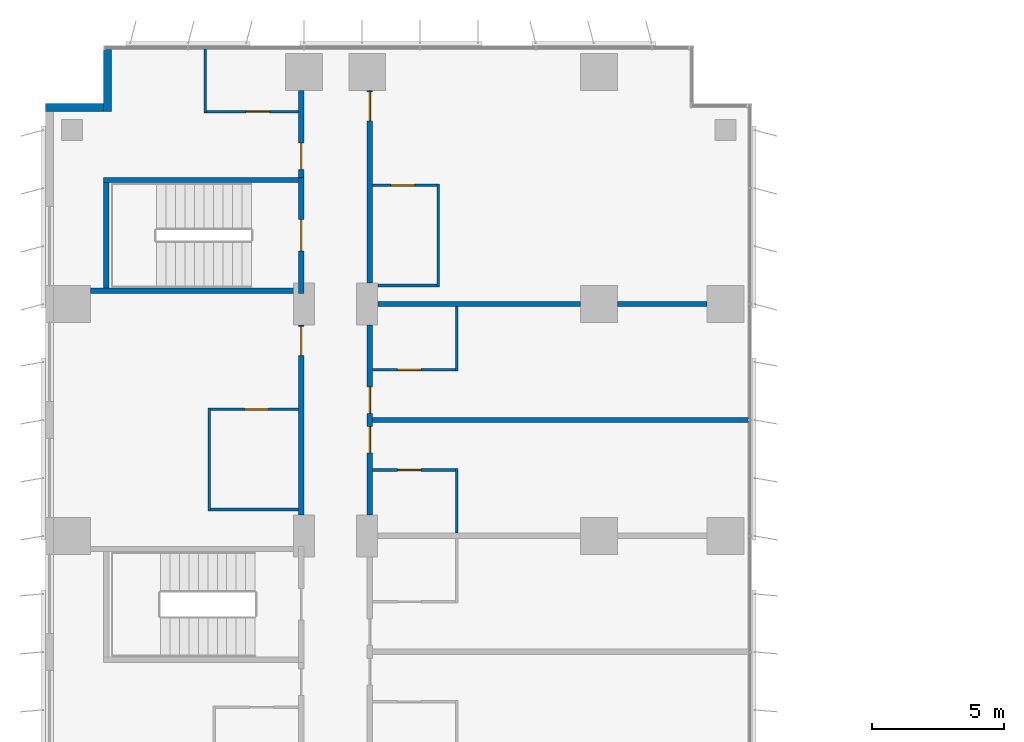
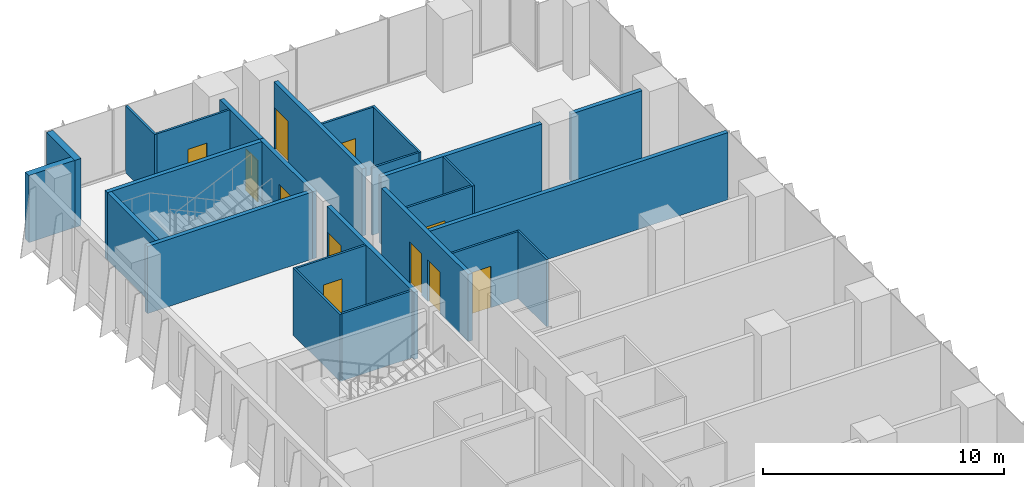
# One storey, part 19 of 24: 25 walls, 11 doors, 11 openings.
"""IFC4 building model written with IfcOpenShell, lengths in metres."""

from ifc_helpers import new_model, si_unit, direction, frame, frame_2d, origin, place, context, subcontext, project, spatial, rectangle, extrude, material, layer, layer_set, type_object, element, fill, save


model = new_model("IFC4")

# Units and contexts
model_context = context("Model", 3, precision=1e-05, world=origin(), true_north=direction((0.0, 1.0)))
body_context = subcontext(model_context, "Body", "Model", "MODEL_VIEW")
ifc_project = project(units=[si_unit("LENGTHUNIT", "METRE"), si_unit("AREAUNIT", "SQUARE_METRE"), si_unit("VOLUMEUNIT", "CUBIC_METRE"), si_unit("PLANEANGLEUNIT", "RADIAN"), si_unit("MASSUNIT", "GRAM", prefix="KILO")], contexts=[model_context])

# Site, building, storey
site_placement = place(None, origin())
site = spatial("IfcSite", under=ifc_project, at=site_placement, CompositionType="ELEMENT")
building_placement = place(site_placement, origin())
building = spatial("IfcBuilding", under=site, at=building_placement, Name="Kemantara Hotel Tower", CompositionType="ELEMENT")
storey_placement = place(building_placement, frame((0.0, 0.0, 56.199951171875)))
storey = spatial("IfcBuildingStorey", under=building, at=storey_placement, Name="L12", CompositionType="ELEMENT", Elevation=56.199951171875)

# Walls
ifc_material_1 = material(Name="Bronze anodised aluminium cladding on insulated steel stud wall", Category="steel")
ifc_layer_1 = layer(ifc_material_1, 0.300048828125)
ifc_layer_set_1 = layer_set([ifc_layer_1], Name="Bronze anodised aluminium cladding on insulated steel stud wall")
wall_type_1 = type_object("IfcWallType", Name="BRONZE METAL-CLAD EXTERNAL WALL 300", PredefinedType="STANDARD", material=ifc_layer_set_1)
wall_1_placement = place(storey_placement, frame((2.35009765625, 81.050048828125, 0.0), z_axis=(0.0, 0.0, 1.0), x_axis=(0.0, -1.0, 0.0)))
element("IfcWall", 1, at=wall_1_placement, inside=storey, type_object=wall_type_1, Name="EXTERNAL WALL L12 T1-R12", PredefinedType="STANDARD", context=body_context, shape_type="SweptSolid", body=[
    extrude(rectangle(XDim=2.35009765625, YDim=0.300048828125, at=frame_2d((1.175048828125, 0.0))), origin(), (0.0, 0.0, 1.0), 3.400146484375),
])
wall_2_placement = place(storey_placement, frame((2.199951171875, 78.85009765625, 0.0), z_axis=(0.0, 0.0, 1.0), x_axis=(-1.0, 0.0, 0.0)))
element("IfcWall", 2, at=wall_2_placement, inside=storey, type_object=wall_type_1, Name="EXTERNAL WALL L12 T1-R13", PredefinedType="STANDARD", context=body_context, shape_type="SweptSolid", body=[
    extrude(rectangle(XDim=2.199951171875, YDim=0.300048828125, at=frame_2d((1.10009765625, 0.0))), origin(), (0.0, 0.0, 1.0), 3.400146484375),
])

# Wall, opening, door
ifc_material_2 = material(Name="Gypsum board partition, steel studs and mineral wool, 200 mm", Category="steel")
ifc_layer_2 = layer(ifc_material_2, 0.199951171875)
ifc_layer_set_2 = layer_set([ifc_layer_2], Name="Gypsum board partition, steel studs and mineral wool, 200 mm")
wall_type_2 = type_object("IfcWallType", Name="CORRIDOR WALL 200", PredefinedType="PARTITIONING", material=ifc_layer_set_2)
wall_3_placement = place(storey_placement, frame((9.699951171875, 63.400146484375, 0.0), z_axis=(0.0, 0.0, 1.0), x_axis=(0.0, 1.0, 0.0)))
wall_3 = element("IfcWall", 3, at=wall_3_placement, inside=storey, type_object=wall_type_2, Name="CORRIDOR WALL 200 032", PredefinedType="PARTITIONING", context=body_context, shape_type="SweptSolid", body=[
    extrude(rectangle(XDim=7.19970703125, YDim=0.199951171875, at=frame_2d((3.599853515625, 0.0))), origin(), (0.0, 0.0, 1.0), 3.400146484375),
])
opening_1_placement = place(wall_3_placement, frame((6.0498046875, 0.0, 0.0)))
opening_1 = element("IfcOpeningElement", 4, at=opening_1_placement, cuts=wall_3, Name="Opening F04-045", PredefinedType="OPENING", context=body_context, shape_type="SweptSolid", body=[
    extrude(rectangle(XDim=1.10009765625, YDim=2.10009765625, at=frame_2d((0.550048828125, 1.050048828125))), frame((0.0, 0.10986328125, 0.0), z_axis=(0.0, -1.0, 0.0), x_axis=(1.0, 0.0, 0.0)), (0.0, 0.0, 1.0), 0.219970703125),
])
ifc_material_3 = material(Name="Hardwood veneer door leaf with steel frame", Category="steel")
door_type_1 = type_object("IfcDoorType", Name="SUITE ENTRANCE DOOR 1100 X 2100 FD30S", OperationType="NOTDEFINED", PredefinedType="DOOR", material=ifc_material_3)
door_1_placement = place(opening_1_placement, origin())
door_1 = element("IfcDoor", 5, at=door_1_placement, inside=storey, type_object=door_type_1, Name="SUITE ENTRANCE DOOR F04-045", OperationType="SINGLE_SWING_RIGHT", OverallHeight=2.10009765625, OverallWidth=1.10009765625, PredefinedType="DOOR", context=body_context, shape_type="SweptSolid", body=[
    extrude(rectangle(XDim=1.10009765625, YDim=2.10009765625, at=frame_2d((0.550048828125, 1.050048828125))), frame((0.0, 0.02490234375, 0.0), z_axis=(0.0, -1.0, 0.0), x_axis=(1.0, 0.0, 0.0)), (0.0, 0.0, 1.0), 0.050048828125),
])
fill(opening_1, door_1)

wall_4_placement = place(storey_placement, frame((9.699951171875, 76.199951171875, 0.0), z_axis=(0.0, 0.0, 1.0), x_axis=(0.0, 1.0, 0.0)))
wall_4 = element("IfcWall", 6, at=wall_4_placement, inside=storey, type_object=wall_type_2, Name="CORRIDOR WALL 200 033", PredefinedType="PARTITIONING", context=body_context, shape_type="SweptSolid", body=[
    extrude(rectangle(XDim=3.300048828125, YDim=0.199951171875, at=frame_2d((1.64990234375, 0.0))), origin(), (0.0, 0.0, 1.0), 3.400146484375),
])
opening_2_placement = place(wall_4_placement, frame((0.300048828125, 0.0, 0.0)))
opening_2 = element("IfcOpeningElement", 7, at=opening_2_placement, cuts=wall_4, Name="Opening F04-047", PredefinedType="OPENING", context=body_context, shape_type="SweptSolid", body=[
    extrude(rectangle(XDim=1.0, YDim=2.10009765625, at=frame_2d((0.5, 1.050048828125))), frame((0.0, 0.10986328125, 0.0), z_axis=(0.0, -1.0, 0.0), x_axis=(1.0, 0.0, 0.0)), (0.0, 0.0, 1.0), 0.219970703125),
])
door_type_2 = type_object("IfcDoorType", Name="GUEST ROOM DOOR 1000 X 2100 FD30S", OperationType="NOTDEFINED", PredefinedType="DOOR", material=ifc_material_3)
door_2_placement = place(opening_2_placement, origin())
door_2 = element("IfcDoor", 8, at=door_2_placement, inside=storey, type_object=door_type_2, Name="GUEST ROOM DOOR F04-047", OperationType="SINGLE_SWING_LEFT", OverallHeight=2.10009765625, OverallWidth=1.0, PredefinedType="DOOR", context=body_context, shape_type="SweptSolid", body=[
    extrude(rectangle(XDim=1.0, YDim=2.10009765625, at=frame_2d((0.5, 1.050048828125))), frame((0.0, 0.02490234375, 0.0), z_axis=(0.0, -1.0, 0.0), x_axis=(1.0, 0.0, 0.0)), (0.0, 0.0, 1.0), 0.050048828125),
])
fill(opening_2, door_2)

# Wall, openings, doors
wall_5_placement = place(storey_placement, frame((12.300048828125, 70.599853515625, 0.0), z_axis=(0.0, 0.0, 1.0), x_axis=(0.0, -1.0, 0.0)))
wall_5 = element("IfcWall", 9, at=wall_5_placement, inside=storey, type_object=wall_type_2, Name="CORRIDOR WALL 200 052", PredefinedType="PARTITIONING", context=body_context, shape_type="SweptSolid", body=[
    extrude(rectangle(XDim=7.19970703125, YDim=0.199951171875, at=frame_2d((3.599853515625, 0.0))), origin(), (0.0, 0.0, 1.0), 3.400146484375),
])
opening_3_placement = place(wall_5_placement, frame((3.849853515625, 0.0, 0.0)))
opening_3 = element("IfcOpeningElement", 10, at=opening_3_placement, cuts=wall_5, Name="Opening F04-065", PredefinedType="OPENING", context=body_context, shape_type="SweptSolid", body=[
    extrude(rectangle(XDim=1.0, YDim=2.10009765625, at=frame_2d((0.5, 1.050048828125))), frame((0.0, 0.10986328125, 0.0), z_axis=(0.0, -1.0, 0.0), x_axis=(1.0, 0.0, 0.0)), (0.0, 0.0, 1.0), 0.219970703125),
])
opening_4_placement = place(wall_5_placement, frame((2.349853515625, 0.0, 0.0)))
opening_4 = element("IfcOpeningElement", 11, at=opening_4_placement, cuts=wall_5, Name="Opening F04-067", PredefinedType="OPENING", context=body_context, shape_type="SweptSolid", body=[
    extrude(rectangle(XDim=1.0, YDim=2.10009765625, at=frame_2d((0.5, 1.050048828125))), frame((0.0, 0.10986328125, 0.0), z_axis=(0.0, -1.0, 0.0), x_axis=(1.0, 0.0, 0.0)), (0.0, 0.0, 1.0), 0.219970703125),
])
door_3_placement = place(opening_3_placement, origin())
door_3 = element("IfcDoor", 12, at=door_3_placement, inside=storey, type_object=door_type_2, Name="GUEST ROOM DOOR F04-065", OperationType="SINGLE_SWING_LEFT", OverallHeight=2.10009765625, OverallWidth=1.0, PredefinedType="DOOR", context=body_context, shape_type="SweptSolid", body=[
    extrude(rectangle(XDim=1.0, YDim=2.10009765625, at=frame_2d((0.5, 1.050048828125))), frame((0.0, 0.02490234375, 0.0), z_axis=(0.0, -1.0, 0.0), x_axis=(1.0, 0.0, 0.0)), (0.0, 0.0, 1.0), 0.050048828125),
])
fill(opening_3, door_3)
door_4_placement = place(opening_4_placement, origin())
door_4 = element("IfcDoor", 13, at=door_4_placement, inside=storey, type_object=door_type_2, Name="GUEST ROOM DOOR F04-067", OperationType="SINGLE_SWING_RIGHT", OverallHeight=2.10009765625, OverallWidth=1.0, PredefinedType="DOOR", context=body_context, shape_type="SweptSolid", body=[
    extrude(rectangle(XDim=1.0, YDim=2.10009765625, at=frame_2d((0.5, 1.050048828125))), frame((0.0, 0.02490234375, 0.0), z_axis=(0.0, -1.0, 0.0), x_axis=(1.0, 0.0, 0.0)), (0.0, 0.0, 1.0), 0.050048828125),
])
fill(opening_4, door_4)

# Wall, opening, door
wall_6_placement = place(storey_placement, frame((12.300048828125, 79.5, 0.0), z_axis=(0.0, 0.0, 1.0), x_axis=(0.0, -1.0, 0.0)))
wall_6 = element("IfcWall", 14, at=wall_6_placement, inside=storey, type_object=wall_type_2, Name="CORRIDOR WALL 200 053", PredefinedType="PARTITIONING", context=body_context, shape_type="SweptSolid", body=[
    extrude(rectangle(XDim=7.2998046875, YDim=0.199951171875, at=frame_2d((3.64990234375, 0.0))), origin(), (0.0, 0.0, 1.0), 3.400146484375),
])
opening_5_placement = place(wall_6_placement, frame((0.0498046875, 0.0, 0.0)))
opening_5 = element("IfcOpeningElement", 15, at=opening_5_placement, cuts=wall_6, Name="Opening F04-069", PredefinedType="OPENING", context=body_context, shape_type="SweptSolid", body=[
    extrude(rectangle(XDim=1.10009765625, YDim=2.10009765625, at=frame_2d((0.550048828125, 1.050048828125))), frame((0.0, 0.10986328125, 0.0), z_axis=(0.0, -1.0, 0.0), x_axis=(1.0, 0.0, 0.0)), (0.0, 0.0, 1.0), 0.219970703125),
])
door_5_placement = place(opening_5_placement, origin())
door_5 = element("IfcDoor", 16, at=door_5_placement, inside=storey, type_object=door_type_1, Name="SUITE ENTRANCE DOOR F04-069", OperationType="SINGLE_SWING_LEFT", OverallHeight=2.10009765625, OverallWidth=1.10009765625, PredefinedType="DOOR", context=body_context, shape_type="SweptSolid", body=[
    extrude(rectangle(XDim=1.10009765625, YDim=2.10009765625, at=frame_2d((0.550048828125, 1.050048828125))), frame((0.0, 0.02490234375, 0.0), z_axis=(0.0, -1.0, 0.0), x_axis=(1.0, 0.0, 0.0)), (0.0, 0.0, 1.0), 0.050048828125),
])
fill(opening_5, door_5)

ifc_material_4 = material(Name="Concrete fc 40 MPa", Category="concrete")
ifc_layer_3 = layer(ifc_material_4, 0.199951171875)
ifc_layer_set_3 = layer_set([ifc_layer_3], Name="Concrete fc 40 MPa")
wall_type_3 = type_object("IfcWallType", Name="Concrete stair wall 200 mm", PredefinedType="SHEAR", material=ifc_layer_set_3)
wall_7_placement = place(storey_placement, frame((9.699951171875, 71.800048828125, 0.0), z_axis=(0.0, 0.0, 1.0), x_axis=(0.0, 1.0, 0.0)))
wall_7 = element("IfcWall", 17, at=wall_7_placement, inside=storey, type_object=wall_type_3, Name="Stair ST6 enclosure wall with door", PredefinedType="SHEAR", context=body_context, shape_type="SweptSolid", body=[
    extrude(rectangle(XDim=4.39990234375, YDim=0.199951171875, at=frame_2d((2.199951171875, 0.0))), origin(), (0.0, 0.0, 1.0), 3.400146484375),
])
opening_6_placement = place(wall_7_placement, frame((1.60009765625, 0.0, 0.0)))
opening_6 = element("IfcOpeningElement", 18, at=opening_6_placement, cuts=wall_7, Name="Opening ST6-C", PredefinedType="OPENING", context=body_context, shape_type="SweptSolid", body=[
    extrude(rectangle(XDim=1.199951171875, YDim=2.10009765625, at=frame_2d((0.60009765625, 1.050048828125))), frame((0.0, 0.10986328125, 0.0), z_axis=(0.0, -1.0, 0.0), x_axis=(1.0, 0.0, 0.0)), (0.0, 0.0, 1.0), 0.219970703125),
])
ifc_material_5 = material(Name="Steel fire door", Category="steel")
door_type_3 = type_object("IfcDoorType", Name="Fire door FD90 1200 x 2100", OperationType="NOTDEFINED", PredefinedType="DOOR", material=ifc_material_5)
door_6_placement = place(opening_6_placement, origin())
door_6 = element("IfcDoor", 19, at=door_6_placement, inside=storey, type_object=door_type_3, Name="Stair ST6 door", OperationType="SINGLE_SWING_RIGHT", OverallHeight=2.10009765625, OverallWidth=1.199951171875, PredefinedType="DOOR", context=body_context, shape_type="SweptSolid", body=[
    extrude(rectangle(XDim=1.199951171875, YDim=2.10009765625, at=frame_2d((0.60009765625, 1.050048828125))), frame((0.0, 0.02490234375, 0.0), z_axis=(0.0, -1.0, 0.0), x_axis=(1.0, 0.0, 0.0)), (0.0, 0.0, 1.0), 0.050048828125),
])
fill(opening_6, door_6)

# Walls
wall_8_placement = place(storey_placement, frame((2.199951171875, 76.10009765625, 0.0), z_axis=(0.0, 0.0, 1.0), x_axis=(1.0, 0.0, 0.0)))
element("IfcWall", 20, at=wall_8_placement, inside=storey, type_object=wall_type_3, Name="Stair ST6 enclosure wall N", PredefinedType="SHEAR", context=body_context, shape_type="SweptSolid", body=[
    extrude(rectangle(XDim=7.400146484375, YDim=0.199951171875, at=frame_2d((3.7001953125, 0.0))), origin(), (0.0, 0.0, 1.0), 3.400146484375),
])
wall_9_placement = place(storey_placement, frame((1.699951171875, 71.89990234375, 0.0), z_axis=(0.0, 0.0, 1.0), x_axis=(1.0, 0.0, 0.0)))
element("IfcWall", 21, at=wall_9_placement, inside=storey, type_object=wall_type_3, Name="Stair ST6 enclosure wall S", PredefinedType="SHEAR", context=body_context, shape_type="SweptSolid", body=[
    extrude(rectangle(XDim=7.900146484375, YDim=0.199951171875, at=frame_2d((3.9501953125, 0.0))), origin(), (0.0, 0.0, 1.0), 3.400146484375),
])
wall_10_placement = place(storey_placement, frame((2.300048828125, 72.0, 0.0), z_axis=(0.0, 0.0, 1.0), x_axis=(0.0, 1.0, 0.0)))
element("IfcWall", 22, at=wall_10_placement, inside=storey, type_object=wall_type_3, Name="Stair ST6 enclosure wall W", PredefinedType="SHEAR", context=body_context, shape_type="SweptSolid", body=[
    extrude(rectangle(XDim=4.0, YDim=0.199951171875, at=frame_2d((2.0, 0.0))), origin(), (0.0, 0.0, 1.0), 3.400146484375),
])
ifc_layer_4 = layer(ifc_material_2, 0.199951171875)
ifc_layer_set_4 = layer_set([ifc_layer_4], Name="Gypsum board partition, steel studs and mineral wool, 200 mm")
wall_type_4 = type_object("IfcWallType", Name="GUEST ROOM PARTY WALL 200", PredefinedType="PARTITIONING", material=ifc_layer_set_4)
wall_11_placement = place(storey_placement, frame((12.39990234375, 67.0, 0.0), z_axis=(0.0, 0.0, 1.0), x_axis=(1.0, 0.0, 0.0)))
element("IfcWall", 23, at=wall_11_placement, inside=storey, type_object=wall_type_4, Name="GUEST ROOM PARTY WALL 200 062", PredefinedType="PARTITIONING", context=body_context, shape_type="SweptSolid", body=[
    extrude(rectangle(XDim=14.27001953125, YDim=0.199951171875, at=frame_2d((7.135009765625, 0.0))), origin(), (0.0, 0.0, 1.0), 3.400146484375),
])
wall_12_placement = place(storey_placement, frame((12.60009765625, 71.39990234375, 0.0), z_axis=(0.0, 0.0, 1.0), x_axis=(1.0, 0.0, 0.0)))
element("IfcWall", 24, at=wall_12_placement, inside=storey, type_object=wall_type_4, Name="GUEST ROOM PARTY WALL 200 063", PredefinedType="PARTITIONING", context=body_context, shape_type="SweptSolid", body=[
    extrude(rectangle(XDim=7.69970703125, YDim=0.199951171875, at=frame_2d((3.849853515625, 0.0))), origin(), (0.0, 0.0, 1.0), 3.400146484375),
])
wall_13_placement = place(storey_placement, frame((21.7001953125, 71.39990234375, 0.0), z_axis=(0.0, 0.0, 1.0), x_axis=(1.0, 0.0, 0.0)))
element("IfcWall", 25, at=wall_13_placement, inside=storey, type_object=wall_type_4, Name="GUEST ROOM PARTY WALL 200 064", PredefinedType="PARTITIONING", context=body_context, shape_type="SweptSolid", body=[
    extrude(rectangle(XDim=3.399658203125, YDim=0.199951171875, at=frame_2d((1.69970703125, 0.0))), origin(), (0.0, 0.0, 1.0), 3.400146484375),
])
ifc_material_6 = material(Name="Gypsum board partition on steel studs, 100 mm", Category="steel")
ifc_layer_5 = layer(ifc_material_6, 0.10009765625)
ifc_layer_set_5 = layer_set([ifc_layer_5], Name="Gypsum board partition on steel studs, 100 mm")
wall_type_5 = type_object("IfcWallType", Name="ROOM PARTITION 100", PredefinedType="PARTITIONING", material=ifc_layer_set_5)
wall_14_placement = place(storey_placement, frame((6.050048828125, 78.64990234375, 0.0), z_axis=(0.0, 0.0, 1.0), x_axis=(0.0, 1.0, 0.0)))
element("IfcWall", 26, at=wall_14_placement, inside=storey, type_object=wall_type_5, Name="ROOM PARTITION 100 095", PredefinedType="PARTITIONING", context=body_context, shape_type="SweptSolid", body=[
    extrude(rectangle(XDim=2.420166015625, YDim=0.10009765625, at=frame_2d((1.2099609375, 0.0))), origin(), (0.0, 0.0, 1.0), 3.400146484375),
])
wall_15_placement = place(storey_placement, frame((6.199951171875, 63.550048828125, 0.0), z_axis=(0.0, 0.0, 1.0), x_axis=(0.0, 1.0, 0.0)))
element("IfcWall", 27, at=wall_15_placement, inside=storey, type_object=wall_type_5, Name="ROOM PARTITION 100 104", PredefinedType="PARTITIONING", context=body_context, shape_type="SweptSolid", body=[
    extrude(rectangle(XDim=3.89990234375, YDim=0.10009765625, at=frame_2d((1.949951171875, 0.0))), origin(), (0.0, 0.0, 1.0), 3.400146484375),
])
wall_16_placement = place(storey_placement, frame((6.25, 63.60009765625, 0.0), z_axis=(0.0, 0.0, 1.0), x_axis=(1.0, 0.0, 0.0)))
element("IfcWall", 28, at=wall_16_placement, inside=storey, type_object=wall_type_5, Name="ROOM PARTITION 100 115", PredefinedType="PARTITIONING", context=body_context, shape_type="SweptSolid", body=[
    extrude(rectangle(XDim=3.35009765625, YDim=0.10009765625, at=frame_2d((1.675048828125, 0.0))), origin(), (0.0, 0.0, 1.0), 3.400146484375),
])

# Wall, opening, door
wall_17_placement = place(storey_placement, frame((9.60009765625, 67.39990234375, 0.0), z_axis=(0.0, 0.0, 1.0), x_axis=(-1.0, 0.0, 0.0)))
wall_17 = element("IfcWall", 29, at=wall_17_placement, inside=storey, type_object=wall_type_5, Name="ROOM PARTITION 100 116", PredefinedType="PARTITIONING", context=body_context, shape_type="SweptSolid", body=[
    extrude(rectangle(XDim=3.35009765625, YDim=0.10009765625, at=frame_2d((1.675048828125, 0.0))), origin(), (0.0, 0.0, 1.0), 3.400146484375),
])
opening_7_placement = place(wall_17_placement, frame((1.14990234375, 0.0, 0.0)))
opening_7 = element("IfcOpeningElement", 30, at=opening_7_placement, cuts=wall_17, Name="Opening F04-046", PredefinedType="OPENING", context=body_context, shape_type="SweptSolid", body=[
    extrude(rectangle(XDim=0.89990234375, YDim=2.10009765625, at=frame_2d((0.449951171875, 1.050048828125))), frame((0.0, 0.06005859375, 0.0), z_axis=(0.0, -1.0, 0.0), x_axis=(1.0, 0.0, 0.0)), (0.0, 0.0, 1.0), 0.1201171875),
])
door_type_4 = type_object("IfcDoorType", Name="BATHROOM DOOR 900 X 2100", OperationType="NOTDEFINED", PredefinedType="DOOR", material=ifc_material_3)
door_7_placement = place(opening_7_placement, origin())
door_7 = element("IfcDoor", 31, at=door_7_placement, inside=storey, type_object=door_type_4, Name="BATHROOM DOOR F04-046", OperationType="SINGLE_SWING_LEFT", OverallHeight=2.10009765625, OverallWidth=0.89990234375, PredefinedType="DOOR", context=body_context, shape_type="SweptSolid", body=[
    extrude(rectangle(XDim=0.89990234375, YDim=2.10009765625, at=frame_2d((0.449951171875, 1.050048828125))), frame((0.0, 0.02490234375, 0.0), z_axis=(0.0, -1.0, 0.0), x_axis=(1.0, 0.0, 0.0)), (0.0, 0.0, 1.0), 0.050048828125),
])
fill(opening_7, door_7)

wall_18_placement = place(storey_placement, frame((6.10009765625, 78.699951171875, 0.0), z_axis=(0.0, 0.0, 1.0), x_axis=(1.0, 0.0, 0.0)))
wall_18 = element("IfcWall", 32, at=wall_18_placement, inside=storey, type_object=wall_type_5, Name="ROOM PARTITION 100 117", PredefinedType="PARTITIONING", context=body_context, shape_type="SweptSolid", body=[
    extrude(rectangle(XDim=3.5, YDim=0.10009765625, at=frame_2d((1.75, 0.0))), origin(), (0.0, 0.0, 1.0), 3.400146484375),
])
opening_8_placement = place(wall_18_placement, frame((1.5, 0.0, 0.0)))
opening_8 = element("IfcOpeningElement", 33, at=opening_8_placement, cuts=wall_18, Name="Opening F04-048", PredefinedType="OPENING", context=body_context, shape_type="SweptSolid", body=[
    extrude(rectangle(XDim=0.89990234375, YDim=2.10009765625, at=frame_2d((0.449951171875, 1.050048828125))), frame((0.0, 0.06005859375, 0.0), z_axis=(0.0, -1.0, 0.0), x_axis=(1.0, 0.0, 0.0)), (0.0, 0.0, 1.0), 0.1201171875),
])
door_8_placement = place(opening_8_placement, origin())
door_8 = element("IfcDoor", 34, at=door_8_placement, inside=storey, type_object=door_type_4, Name="BATHROOM DOOR F04-048", OperationType="SINGLE_SWING_RIGHT", OverallHeight=2.10009765625, OverallWidth=0.89990234375, PredefinedType="DOOR", context=body_context, shape_type="SweptSolid", body=[
    extrude(rectangle(XDim=0.89990234375, YDim=2.10009765625, at=frame_2d((0.449951171875, 1.050048828125))), frame((0.0, 0.02490234375, 0.0), z_axis=(0.0, -1.0, 0.0), x_axis=(1.0, 0.0, 0.0)), (0.0, 0.0, 1.0), 0.050048828125),
])
fill(opening_8, door_8)

# Walls
for number, where, z_axis, x_axis, name in (
    (35, (15.60009765625, 62.699951171875, 0.0), (0.0, 0.0, 1.0), (0.0, 1.0, 0.0), "ROOM PARTITION 100 126"),
    (36, (15.60009765625, 68.85009765625, 0.0), (0.0, 0.0, 1.0), (0.0, 1.0, 0.0), "ROOM PARTITION 100 127"),
):
    element("IfcWall", number, at=place(storey_placement, frame(where, z_axis=z_axis, x_axis=x_axis)), inside=storey, type_object=wall_type_5, Name=name, PredefinedType="PARTITIONING", context=body_context, shape_type="SweptSolid", body=[
        extrude(rectangle(XDim=2.449951171875, YDim=0.10009765625, at=frame_2d((1.22509765625, 0.0))), origin(), (0.0, 0.0, 1.0), 3.400146484375),
    ])

# Wall, opening, door
wall_19_placement = place(storey_placement, frame((15.550048828125, 65.10009765625, 0.0), z_axis=(0.0, 0.0, 1.0), x_axis=(-1.0, 0.0, 0.0)))
wall_19 = element("IfcWall", 37, at=wall_19_placement, inside=storey, type_object=wall_type_5, Name="ROOM PARTITION 100 135", PredefinedType="PARTITIONING", context=body_context, shape_type="SweptSolid", body=[
    extrude(rectangle(XDim=3.150146484375, YDim=0.10009765625, at=frame_2d((1.5751953125, 0.0))), origin(), (0.0, 0.0, 1.0), 3.400146484375),
])
opening_9_placement = place(wall_19_placement, frame((1.300048828125, 0.0, 0.0)))
opening_9 = element("IfcOpeningElement", 38, at=opening_9_placement, cuts=wall_19, Name="Opening F04-066", PredefinedType="OPENING", context=body_context, shape_type="SweptSolid", body=[
    extrude(rectangle(XDim=0.89990234375, YDim=2.10009765625, at=frame_2d((0.449951171875, 1.050048828125))), frame((0.0, 0.06005859375, 0.0), z_axis=(0.0, -1.0, 0.0), x_axis=(1.0, 0.0, 0.0)), (0.0, 0.0, 1.0), 0.1201171875),
])
door_9_placement = place(opening_9_placement, origin())
door_9 = element("IfcDoor", 39, at=door_9_placement, inside=storey, type_object=door_type_4, Name="BATHROOM DOOR F04-066", OperationType="SINGLE_SWING_RIGHT", OverallHeight=2.10009765625, OverallWidth=0.89990234375, PredefinedType="DOOR", context=body_context, shape_type="SweptSolid", body=[
    extrude(rectangle(XDim=0.89990234375, YDim=2.10009765625, at=frame_2d((0.449951171875, 1.050048828125))), frame((0.0, 0.02490234375, 0.0), z_axis=(0.0, -1.0, 0.0), x_axis=(1.0, 0.0, 0.0)), (0.0, 0.0, 1.0), 0.050048828125),
])
fill(opening_9, door_9)

wall_20_placement = place(storey_placement, frame((12.39990234375, 68.89990234375, 0.0), z_axis=(0.0, 0.0, 1.0), x_axis=(1.0, 0.0, 0.0)))
wall_20 = element("IfcWall", 40, at=wall_20_placement, inside=storey, type_object=wall_type_5, Name="ROOM PARTITION 100 136", PredefinedType="PARTITIONING", context=body_context, shape_type="SweptSolid", body=[
    extrude(rectangle(XDim=3.150146484375, YDim=0.10009765625, at=frame_2d((1.5751953125, 0.0))), origin(), (0.0, 0.0, 1.0), 3.400146484375),
])
opening_10_placement = place(wall_20_placement, frame((0.949951171875, 0.0, 0.0)))
opening_10 = element("IfcOpeningElement", 41, at=opening_10_placement, cuts=wall_20, Name="Opening F04-068", PredefinedType="OPENING", context=body_context, shape_type="SweptSolid", body=[
    extrude(rectangle(XDim=0.89990234375, YDim=2.10009765625, at=frame_2d((0.449951171875, 1.050048828125))), frame((0.0, 0.06005859375, 0.0), z_axis=(0.0, -1.0, 0.0), x_axis=(1.0, 0.0, 0.0)), (0.0, 0.0, 1.0), 0.1201171875),
])
door_10_placement = place(opening_10_placement, origin())
door_10 = element("IfcDoor", 42, at=door_10_placement, inside=storey, type_object=door_type_4, Name="BATHROOM DOOR F04-068", OperationType="SINGLE_SWING_LEFT", OverallHeight=2.10009765625, OverallWidth=0.89990234375, PredefinedType="DOOR", context=body_context, shape_type="SweptSolid", body=[
    extrude(rectangle(XDim=0.89990234375, YDim=2.10009765625, at=frame_2d((0.449951171875, 1.050048828125))), frame((0.0, 0.02490234375, 0.0), z_axis=(0.0, -1.0, 0.0), x_axis=(1.0, 0.0, 0.0)), (0.0, 0.0, 1.0), 0.050048828125),
])
fill(opening_10, door_10)

# Walls
wall_21_placement = place(storey_placement, frame((14.89990234375, 72.050048828125, 0.0), z_axis=(0.0, 0.0, 1.0), x_axis=(0.0, 1.0, 0.0)))
element("IfcWall", 43, at=wall_21_placement, inside=storey, type_object=wall_type_5, Name="ROOM PARTITION 100 137", PredefinedType="PARTITIONING", context=body_context, shape_type="SweptSolid", body=[
    extrude(rectangle(XDim=3.89990234375, YDim=0.10009765625, at=frame_2d((1.949951171875, 0.0))), origin(), (0.0, 0.0, 1.0), 3.400146484375),
])
wall_22_placement = place(storey_placement, frame((12.60009765625, 72.10009765625, 0.0), z_axis=(0.0, 0.0, 1.0), x_axis=(1.0, 0.0, 0.0)))
element("IfcWall", 44, at=wall_22_placement, inside=storey, type_object=wall_type_5, Name="ROOM PARTITION 100 138", PredefinedType="PARTITIONING", context=body_context, shape_type="SweptSolid", body=[
    extrude(rectangle(XDim=2.25, YDim=0.10009765625, at=frame_2d((1.125, 0.0))), origin(), (0.0, 0.0, 1.0), 3.400146484375),
])

# Wall, opening, door
wall_23_placement = place(storey_placement, frame((14.85009765625, 75.89990234375, 0.0), z_axis=(0.0, 0.0, 1.0), x_axis=(-1.0, 0.0, 0.0)))
wall_23 = element("IfcWall", 45, at=wall_23_placement, inside=storey, type_object=wall_type_5, Name="ROOM PARTITION 100 139", PredefinedType="PARTITIONING", context=body_context, shape_type="SweptSolid", body=[
    extrude(rectangle(XDim=2.4501953125, YDim=0.10009765625, at=frame_2d((1.22509765625, 0.0))), origin(), (0.0, 0.0, 1.0), 3.400146484375),
])
opening_11_placement = place(wall_23_placement, frame((0.85009765625, 0.0, 0.0)))
opening_11 = element("IfcOpeningElement", 46, at=opening_11_placement, cuts=wall_23, Name="Opening F04-070", PredefinedType="OPENING", context=body_context, shape_type="SweptSolid", body=[
    extrude(rectangle(XDim=0.89990234375, YDim=2.10009765625, at=frame_2d((0.449951171875, 1.050048828125))), frame((0.0, 0.06005859375, 0.0), z_axis=(0.0, -1.0, 0.0), x_axis=(1.0, 0.0, 0.0)), (0.0, 0.0, 1.0), 0.1201171875),
])
door_11_placement = place(opening_11_placement, origin())
door_11 = element("IfcDoor", 47, at=door_11_placement, inside=storey, type_object=door_type_4, Name="BATHROOM DOOR F04-070", OperationType="SINGLE_SWING_RIGHT", OverallHeight=2.10009765625, OverallWidth=0.89990234375, PredefinedType="DOOR", context=body_context, shape_type="SweptSolid", body=[
    extrude(rectangle(XDim=0.89990234375, YDim=2.10009765625, at=frame_2d((0.449951171875, 1.050048828125))), frame((0.0, 0.02490234375, 0.0), z_axis=(0.0, -1.0, 0.0), x_axis=(1.0, 0.0, 0.0)), (0.0, 0.0, 1.0), 0.050048828125),
])
fill(opening_11, door_11)

save(model, "model.ifc")
